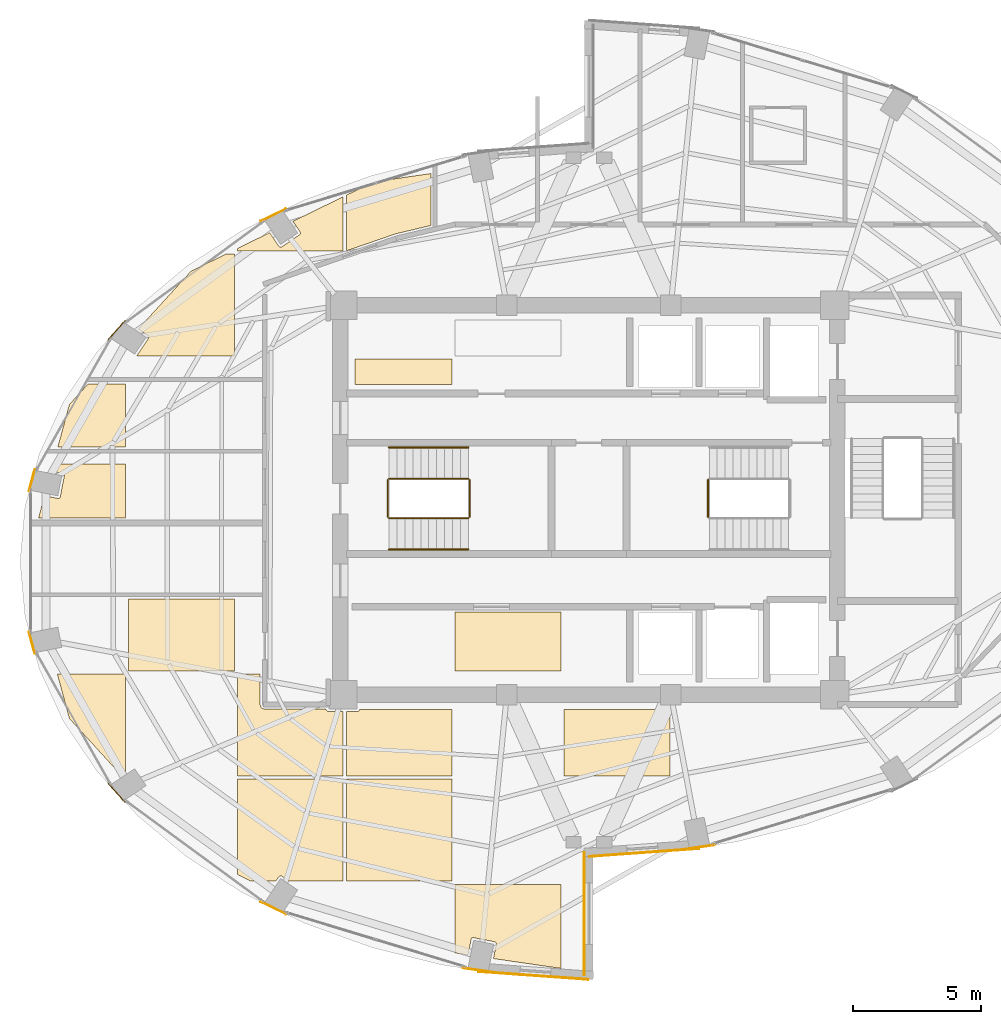
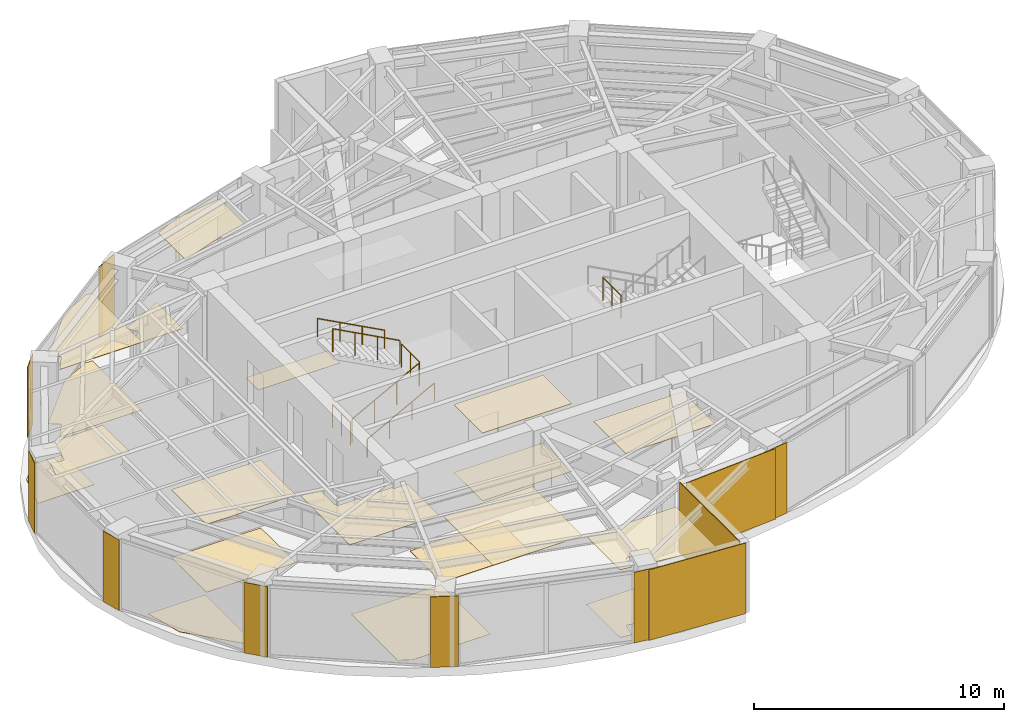
# One storey, part 22 of 23: 30 coverings, 7 railings.
"""IFC4 building model written with IfcOpenShell, lengths in metres."""

from ifc_helpers import new_model, si_unit, direction, frame, origin, origin_2d, place, context, subcontext, project, spatial, polyline, rectangle, circle, outline, extrude, material, layer, layer_set, type_object, element, save


model = new_model("IFC4")

# Units and contexts
model_context = context("Model", 3, precision=1e-05, world=origin(), true_north=direction((0.0, 1.0)))
body_context = subcontext(model_context, "Body", "Model", "MODEL_VIEW")
ifc_project = project(units=[si_unit("LENGTHUNIT", "METRE"), si_unit("AREAUNIT", "SQUARE_METRE"), si_unit("VOLUMEUNIT", "CUBIC_METRE"), si_unit("PLANEANGLEUNIT", "RADIAN"), si_unit("MASSUNIT", "GRAM", prefix="KILO")], contexts=[model_context])

# Site, building, storey
site_placement = place(None, origin())
site = spatial("IfcSite", under=ifc_project, at=site_placement, CompositionType="ELEMENT")
building_placement = place(site_placement, origin())
building = spatial("IfcBuilding", under=site, at=building_placement, Name="Lazwardi Medical Tower", CompositionType="ELEMENT")
storey_placement = place(building_placement, frame((0.0, 0.0, 194.83203125)))
storey = spatial("IfcBuildingStorey", under=building, at=storey_placement, Name="L50", CompositionType="ELEMENT", Elevation=194.83203125)

# Coverings
ifc_material_1 = material(Name="Anodised bronze aluminium cassette cladding", Category="aluminium")
ifc_layer_1 = layer(ifc_material_1, 0.030029296875)
ifc_layer_set_1 = layer_set([ifc_layer_1], Name="Anodised bronze aluminium cassette cladding")
covering_type_1 = type_object("IfcCoveringType", Name="COV-CLD-BRZ", PredefinedType="CLADDING", material=ifc_layer_set_1)
covering_1_placement = place(storey_placement, frame((40.3232421875, 14.450439453125, 0.0), z_axis=(0.0, 0.0, 1.0), x_axis=(0.989512431533, 0.144447733943, 0.0)))
element("IfcCovering", 1, at=covering_1_placement, inside=storey, type_object=covering_type_1, Name="L50 Mega-column bronze cassette cover M01", PredefinedType="CLADDING", context=body_context, shape_type="SweptSolid", body=[
    extrude(rectangle(XDim=1.188720703125, YDim=0.030029296875, at=origin_2d()), origin(), (0.0, 0.0, 1.0), 3.447998046875),
])
covering_2_placement = place(storey_placement, frame((23.688720703125, 39.121337890625, 0.0), z_axis=(0.0, 0.0, 1.0), x_axis=(-0.897840141691, -0.440321564278, 0.0)))
element("IfcCovering", 2, at=covering_2_placement, inside=storey, type_object=covering_type_1, Name="L50 Mega-column bronze cassette cover M10", PredefinedType="CLADDING", context=body_context, shape_type="SweptSolid", body=[
    extrude(rectangle(XDim=1.110595703125, YDim=0.030029296875, at=origin_2d()), origin(), (0.0, 0.0, 1.0), 3.447998046875),
])
covering_3_placement = place(storey_placement, frame((17.57470703125, 34.634765625, 0.0), z_axis=(0.0, 0.0, 1.0), x_axis=(-0.673240970654, -0.739423150458, 0.0)))
element("IfcCovering", 3, at=covering_3_placement, inside=storey, type_object=covering_type_1, Name="L50 Mega-column bronze cassette cover M11", PredefinedType="CLADDING", context=body_context, shape_type="SweptSolid", body=[
    extrude(rectangle(XDim=0.98974609375, YDim=0.030029296875, at=origin_2d()), origin(), (0.0, 0.0, 1.0), 3.447998046875),
])
for number, where, z_axis, x_axis, name in (
    (4, (14.265869140625, 28.772705078125, 0.0), (0.0, 0.0, 1.0), (-0.261641748247, -0.96516506131, 0.0), "L50 Mega-column bronze cassette cover M12"),
    (5, (14.265869140625, 22.427490234375, 0.0), (0.0, 0.0, 1.0), (0.261641748247, -0.96516506131, 0.0), "L50 Mega-column bronze cassette cover M13"),
):
    element("IfcCovering", number, at=place(storey_placement, frame(where, z_axis=z_axis, x_axis=x_axis)), inside=storey, type_object=covering_type_1, Name=name, PredefinedType="CLADDING", context=body_context, shape_type="SweptSolid", body=[
        extrude(rectangle(XDim=0.894287109375, YDim=0.030029296875, at=origin_2d()), origin(), (0.0, 0.0, 1.0), 3.447998046875),
    ])
covering_4_placement = place(storey_placement, frame((17.57470703125, 16.565185546875, 0.0), z_axis=(0.0, 0.0, 1.0), x_axis=(0.673240970654, -0.739423150458, 0.0)))
element("IfcCovering", 6, at=covering_4_placement, inside=storey, type_object=covering_type_1, Name="L50 Mega-column bronze cassette cover M14", PredefinedType="CLADDING", context=body_context, shape_type="SweptSolid", body=[
    extrude(rectangle(XDim=0.98974609375, YDim=0.030029296875, at=origin_2d()), origin(), (0.0, 0.0, 1.0), 3.447998046875),
])
covering_5_placement = place(storey_placement, frame((23.688720703125, 12.07861328125, 0.0), z_axis=(0.0, 0.0, 1.0), x_axis=(0.897840141691, -0.440321564278, 0.0)))
element("IfcCovering", 7, at=covering_5_placement, inside=storey, type_object=covering_type_1, Name="L50 Mega-column bronze cassette cover M15", PredefinedType="CLADDING", context=body_context, shape_type="SweptSolid", body=[
    extrude(rectangle(XDim=1.110595703125, YDim=0.030029296875, at=origin_2d()), origin(), (0.0, 0.0, 1.0), 3.447998046875),
])
covering_6_placement = place(storey_placement, frame((31.6767578125, 9.650390625, 0.0), z_axis=(0.0, 0.0, 1.0), x_axis=(0.989512431533, -0.144447733943, 0.0)))
element("IfcCovering", 8, at=covering_6_placement, inside=storey, type_object=covering_type_1, Name="L50 Mega-column bronze cassette cover M16", PredefinedType="CLADDING", context=body_context, shape_type="SweptSolid", body=[
    extrude(rectangle(XDim=1.188720703125, YDim=0.030029296875, at=origin_2d()), origin(), (0.0, 0.0, 1.0), 3.447998046875),
])
ifc_material_2 = material(Name="Turquoise glazed ceramic tilework cladding", Category="masonry")
ifc_layer_2 = layer(ifc_material_2, 0.034912109375)
ifc_layer_set_2 = layer_set([ifc_layer_2], Name="Turquoise glazed ceramic tilework cladding")
covering_type_2 = type_object("IfcCoveringType", Name="COV-CLD-TRQ", PredefinedType="CLADDING", material=ifc_layer_set_2)
covering_7_placement = place(storey_placement, frame((38.16259765625, 14.239990234375, 0.0), z_axis=(0.0, 0.0, 1.0), x_axis=(0.997409491337, 0.071932653157, 0.0)))
element("IfcCovering", 9, at=covering_7_placement, inside=storey, type_object=covering_type_2, Name="L50 Turquoise glazed ceramic tilework cladding", PredefinedType="CLADDING", context=body_context, shape_type="SweptSolid", body=[
    extrude(rectangle(XDim=4.31103515625, YDim=0.034912109375, at=origin_2d()), origin(), (0.0, 0.0, 1.0), 3.447998046875),
])
covering_8_placement = place(storey_placement, frame((33.83740234375, 9.43994140625, 0.0), z_axis=(0.0, 0.0, 1.0), x_axis=(0.997408989128, -0.071939616387, 0.0)))
element("IfcCovering", 10, at=covering_8_placement, inside=storey, type_object=covering_type_2, Name="L50 Turquoise glazed ceramic tilework cladding", PredefinedType="CLADDING", context=body_context, shape_type="SweptSolid", body=[
    extrude(rectangle(XDim=4.310546875, YDim=0.034912109375, at=origin_2d()), origin(), (0.0, 0.0, 1.0), 3.447998046875),
])
covering_9_placement = place(storey_placement, frame((35.824462890625, 11.860107421875, 0.0), z_axis=(0.0, 0.0, 1.0), x_axis=(0.0, 1.0, 0.0)))
element("IfcCovering", 11, at=covering_9_placement, inside=storey, type_object=covering_type_2, Name="L50 Turquoise glazed ceramic tilework iwan panel", PredefinedType="CLADDING", context=body_context, shape_type="SweptSolid", body=[
    extrude(rectangle(XDim=4.800048828125, YDim=0.034912109375, at=origin_2d()), origin(), (0.0, 0.0, 1.0), 3.447998046875),
])
ifc_material_3 = material(Name="Acoustic mineral fibre tile")
ifc_layer_3 = layer(ifc_material_3, 0.02490234375)
ifc_layer_set_3 = layer_set([ifc_layer_3], Name="Acoustic mineral fibre tile")
covering_type_3 = type_object("IfcCoveringType", Name="COV-CLG-01", PredefinedType="CEILING", material=ifc_layer_set_3)
covering_10_placement = place(storey_placement, frame((0.0, 0.0, 3.302978515625)))
element("IfcCovering", 12, at=covering_10_placement, inside=storey, type_object=covering_type_3, Name="L50 Clinical Acoustic Ceiling 1", PredefinedType="CEILING", context=body_context, shape_type="SweptSolid", body=[
    extrude(outline(polyline([(15.09619140625, 29.402587890625), (15.0224609375, 29.13134765625), (15.4716796875, 29.0419921875), (15.479248046875, 29.040283203125), (15.486572265625, 29.03759765625), (15.49365234375, 29.0341796875), (15.50048828125, 29.030029296875), (15.5068359375, 29.025390625), (15.5126953125, 29.020263671875), (15.517822265625, 29.014404296875), (15.5224609375, 29.008056640625), (15.526611328125, 29.001220703125), (15.52978515625, 28.994140625), (15.53271484375, 28.98681640625), (15.534423828125, 28.979248046875), (15.53564453125, 28.971435546875), (15.535888671875, 28.963623046875), (15.53564453125, 28.955810546875), (15.534423828125, 28.947998046875), (15.37060546875, 28.124267578125), (15.36865234375, 28.11669921875), (15.365966796875, 28.109130859375), (15.36279296875, 28.10205078125), (15.358642578125, 28.095458984375), (15.35400390625, 28.089111328125), (15.3486328125, 28.083251953125), (15.343017578125, 28.077880859375), (15.33642578125, 28.0732421875), (15.329833984375, 28.069091796875), (15.32275390625, 28.06591796875), (15.315185546875, 28.063232421875), (15.3076171875, 28.061279296875), (15.2998046875, 28.060302734375), (15.2919921875, 28.059814453125), (15.2841796875, 28.060302734375), (15.276611328125, 28.061279296875), (14.759521484375, 28.1640625), (14.52490234375, 27.300048828125), (17.912841796875, 27.300048828125), (17.912841796875, 29.402587890625), (15.09619140625, 29.402587890625)])), origin(), (0.0, 0.0, 1.0), 0.02490234375),
])
covering_11_placement = place(storey_placement, frame((0.0, 0.0, 3.302978515625)))
element("IfcCovering", 13, at=covering_11_placement, inside=storey, type_object=covering_type_3, Name="L50 Clinical Acoustic Ceiling 2", PredefinedType="CEILING", context=body_context, shape_type="SweptSolid", body=[
    extrude(outline(polyline([(22.162841796875, 24.135009765625), (18.032958984375, 24.135009765625), (18.032958984375, 21.322509765625), (22.162841796875, 21.322509765625), (22.162841796875, 24.135009765625)])), origin(), (0.0, 0.0, 1.0), 0.02490234375),
])
covering_12_placement = place(storey_placement, frame((0.0, 0.0, 3.302978515625)))
element("IfcCovering", 14, at=covering_12_placement, inside=storey, type_object=covering_type_3, Name="L50 Clinical Acoustic Ceiling 3", PredefinedType="CEILING", context=body_context, shape_type="SweptSolid", body=[
    extrude(outline(polyline([(21.84619140625, 37.6025390625), (20.478271484375, 36.933349609375), (18.415283203125, 34.673095703125), (18.7919921875, 34.42138671875), (18.79833984375, 34.416748046875), (18.80419921875, 34.41162109375), (18.809326171875, 34.40576171875), (18.814208984375, 34.3994140625), (18.818115234375, 34.392578125), (18.821533203125, 34.385498046875), (18.82421875, 34.378173828125), (18.826171875, 34.37060546875), (18.8271484375, 34.36279296875), (18.82763671875, 34.35498046875), (18.8271484375, 34.34716796875), (18.826171875, 34.33935546875), (18.82421875, 34.331787109375), (18.821533203125, 34.324462890625), (18.818115234375, 34.3173828125), (18.814208984375, 34.310546875), (18.354248046875, 33.62255859375), (22.162841796875, 33.62255859375), (22.162841796875, 37.6025390625), (21.84619140625, 37.6025390625)])), origin(), (0.0, 0.0, 1.0), 0.02490234375),
])
covering_13_placement = place(storey_placement, frame((0.0, 0.0, 3.302978515625)))
element("IfcCovering", 15, at=covering_13_placement, inside=storey, type_object=covering_type_3, Name="L50 Clinical Acoustic Ceiling 4", PredefinedType="CEILING", context=body_context, shape_type="SweptSolid", body=[
    extrude(outline(polyline([(26.412841796875, 19.75), (25.830078125, 19.75), (25.822265625, 19.75048828125), (25.814453125, 19.75146484375), (25.806884765625, 19.75341796875), (25.79931640625, 19.756103515625), (25.792236328125, 19.759521484375), (25.78564453125, 19.763427734375), (25.779296875, 19.768310546875), (25.7734375, 19.7734375), (25.768310546875, 19.779296875), (25.763427734375, 19.78564453125), (25.759521484375, 19.792236328125), (25.756103515625, 19.79931640625), (25.75341796875, 19.806884765625), (25.75146484375, 19.814453125), (25.75048828125, 19.822265625), (25.75, 19.830078125), (25.75, 19.844970703125), (23.35009765625, 19.844970703125), (23.345703125, 19.84521484375), (23.33642578125, 19.845703125), (23.32958984375, 19.84619140625), (23.3203125, 19.84765625), (23.31201171875, 19.84912109375), (23.302734375, 19.8515625), (23.2958984375, 19.853515625), (23.287109375, 19.856689453125), (23.279296875, 19.860107421875), (23.270751953125, 19.864013671875), (23.263916015625, 19.86767578125), (23.256103515625, 19.872314453125), (23.249267578125, 19.876953125), (23.24169921875, 19.882568359375), (23.236083984375, 19.88720703125), (23.229248046875, 19.893310546875), (23.223388671875, 19.8994140625), (23.217041015625, 19.90625), (23.21240234375, 19.911865234375), (23.206787109375, 19.919189453125), (23.202392578125, 19.926025390625), (23.197509765625, 19.93408203125), (23.194091796875, 19.94091796875), (23.18994140625, 19.94921875), (23.186767578125, 19.95703125), (23.18359375, 19.9658203125), (23.181396484375, 19.972900390625), (23.17919921875, 19.98193359375), (23.177490234375, 19.990234375), (23.17626953125, 19.99951171875), (23.175537109375, 20.00634765625), (23.175048828125, 20.015625), (23.175048828125, 20.02001953125), (23.175048828125, 21.202392578125), (22.282958984375, 21.202392578125), (22.282958984375, 17.222412109375), (26.412841796875, 17.222412109375), (26.412841796875, 19.75)])), origin(), (0.0, 0.0, 1.0), 0.02490234375),
])
covering_14_placement = place(storey_placement, frame((0.0, 0.0, 3.302978515625)))
element("IfcCovering", 16, at=covering_14_placement, inside=storey, type_object=covering_type_3, Name="L50 Clinical Acoustic Ceiling 5", PredefinedType="CEILING", context=body_context, shape_type="SweptSolid", body=[
    extrude(outline(polyline([(30.662841796875, 13.12255859375), (30.662841796875, 17.1025390625), (26.532958984375, 17.1025390625), (26.532958984375, 13.12255859375), (30.662841796875, 13.12255859375)])), origin(), (0.0, 0.0, 1.0), 0.02490234375),
])
covering_15_placement = place(storey_placement, frame((0.0, 0.0, 3.302978515625)))
element("IfcCovering", 17, at=covering_15_placement, inside=storey, type_object=covering_type_3, Name="L50 Clinical Acoustic Ceiling 6", PredefinedType="CEILING", context=body_context, shape_type="SweptSolid", body=[
    extrude(outline(polyline([(26.532958984375, 37.72265625), (28.457763671875, 38.385498046875), (28.461669921875, 38.386962890625), (28.470703125, 38.389404296875), (28.474365234375, 38.390380859375), (29.8349609375, 38.713134765625), (29.8349609375, 40.741455078125), (27.59716796875, 40.41552734375), (26.532958984375, 39.89501953125), (26.532958984375, 37.72265625)])), origin(), (0.0, 0.0, 1.0), 0.02490234375),
])
covering_16_placement = place(storey_placement, frame((0.0, 0.0, 3.302978515625)))
element("IfcCovering", 18, at=covering_16_placement, inside=storey, type_object=covering_type_3, Name="L50 Clinical Acoustic Ceiling 7", PredefinedType="CEILING", context=body_context, shape_type="SweptSolid", body=[
    extrude(outline(polyline([(30.782958984375, 10.320556640625), (31.285400390625, 10.247314453125), (31.40673828125, 10.8583984375), (31.40869140625, 10.865966796875), (31.411376953125, 10.873291015625), (31.414794921875, 10.88037109375), (31.418701171875, 10.88720703125), (31.423583984375, 10.8935546875), (31.4287109375, 10.8994140625), (31.4345703125, 10.904541015625), (31.44091796875, 10.9091796875), (31.447509765625, 10.913330078125), (31.45458984375, 10.91650390625), (31.462158203125, 10.919189453125), (31.4697265625, 10.921142578125), (31.4775390625, 10.92236328125), (31.4853515625, 10.922607421875), (31.4931640625, 10.92236328125), (31.5009765625, 10.921142578125), (32.32470703125, 10.75732421875), (32.332275390625, 10.75537109375), (32.339599609375, 10.752685546875), (32.3466796875, 10.74951171875), (32.353515625, 10.745361328125), (32.35986328125, 10.740478515625), (32.36572265625, 10.7353515625), (32.370849609375, 10.7294921875), (32.37548828125, 10.72314453125), (32.379638671875, 10.716552734375), (32.383056640625, 10.70947265625), (32.3857421875, 10.701904296875), (32.3876953125, 10.6943359375), (32.388671875, 10.6865234375), (32.38916015625, 10.6787109375), (32.388671875, 10.6708984375), (32.3876953125, 10.6630859375), (32.276123046875, 10.10302734375), (34.912841796875, 9.71923828125), (34.912841796875, 13.00244140625), (30.782958984375, 13.00244140625), (30.782958984375, 10.320556640625)])), origin(), (0.0, 0.0, 1.0), 0.02490234375),
])
covering_17_placement = place(storey_placement, frame((0.0, 0.0, 3.302978515625)))
element("IfcCovering", 19, at=covering_17_placement, inside=storey, type_object=covering_type_3, Name="L50 Clinical Acoustic Ceiling 8", PredefinedType="CEILING", context=body_context, shape_type="SweptSolid", body=[
    extrude(outline(polyline([(34.912841796875, 23.6201171875), (30.782958984375, 23.6201171875), (30.782958984375, 21.322509765625), (34.912841796875, 21.322509765625), (34.912841796875, 23.6201171875)])), origin(), (0.0, 0.0, 1.0), 0.02490234375),
])
covering_18_placement = place(storey_placement, frame((0.0, 0.0, 3.302978515625)))
element("IfcCovering", 20, at=covering_18_placement, inside=storey, type_object=covering_type_3, Name="L50 Clinical Acoustic Ceiling 10", PredefinedType="CEILING", context=body_context, shape_type="SweptSolid", body=[
    extrude(outline(polyline([(39.162841796875, 19.820068359375), (35.032958984375, 19.820068359375), (35.032958984375, 17.222412109375), (39.162841796875, 17.222412109375), (39.162841796875, 19.820068359375)])), origin(), (0.0, 0.0, 1.0), 0.02490234375),
])
ifc_material_4 = material(Name="Anti-static hospital vinyl sheet flooring")
ifc_layer_4 = layer(ifc_material_4, 0.014892578125)
ifc_layer_set_4 = layer_set([ifc_layer_4], Name="Anti-static hospital vinyl sheet flooring")
covering_type_4 = type_object("IfcCoveringType", Name="COV-FLR-01", PredefinedType="FLOORING", material=ifc_layer_set_4)
covering_19_placement = place(storey_placement, origin())
element("IfcCovering", 21, at=covering_19_placement, inside=storey, type_object=covering_type_4, Name="L50 Clinical Vinyl Flooring 1", PredefinedType="FLOORING", context=body_context, shape_type="SweptSolid", body=[
    extrude(outline(polyline([(15.2578125, 21.202392578125), (15.728271484375, 19.470703125), (17.7333984375, 17.273681640625), (17.912841796875, 17.393798828125), (17.912841796875, 21.202392578125), (15.2578125, 21.202392578125)])), origin(), (0.0, 0.0, 1.0), 0.014892578125),
])
covering_20_placement = place(storey_placement, origin())
element("IfcCovering", 22, at=covering_20_placement, inside=storey, type_object=covering_type_4, Name="L50 Clinical Vinyl Flooring 2", PredefinedType="FLOORING", context=body_context, shape_type="SweptSolid", body=[
    extrude(outline(polyline([(17.912841796875, 32.534912109375), (16.4638671875, 32.534912109375), (15.728271484375, 31.729248046875), (15.276123046875, 30.06494140625), (17.912841796875, 30.06494140625), (17.912841796875, 32.534912109375)])), origin(), (0.0, 0.0, 1.0), 0.014892578125),
])
covering_21_placement = place(storey_placement, origin())
element("IfcCovering", 23, at=covering_21_placement, inside=storey, type_object=covering_type_4, Name="L50 Clinical Vinyl Flooring 3", PredefinedType="FLOORING", context=body_context, shape_type="SweptSolid", body=[
    extrude(outline(polyline([(22.162841796875, 24.135009765625), (18.032958984375, 24.135009765625), (18.032958984375, 21.322509765625), (22.162841796875, 21.322509765625), (22.162841796875, 24.135009765625)])), origin(), (0.0, 0.0, 1.0), 0.014892578125),
])
covering_22_placement = place(storey_placement, origin())
element("IfcCovering", 24, at=covering_22_placement, inside=storey, type_object=covering_type_4, Name="L50 Clinical Vinyl Flooring 4", PredefinedType="FLOORING", context=body_context, shape_type="SweptSolid", body=[
    extrude(outline(polyline([(21.84619140625, 37.6025390625), (20.478271484375, 36.933349609375), (18.415283203125, 34.673095703125), (18.7919921875, 34.42138671875), (18.79833984375, 34.416748046875), (18.80419921875, 34.41162109375), (18.809326171875, 34.40576171875), (18.814208984375, 34.3994140625), (18.818115234375, 34.392578125), (18.821533203125, 34.385498046875), (18.82421875, 34.378173828125), (18.826171875, 34.37060546875), (18.8271484375, 34.36279296875), (18.82763671875, 34.35498046875), (18.8271484375, 34.34716796875), (18.826171875, 34.33935546875), (18.82421875, 34.331787109375), (18.821533203125, 34.324462890625), (18.818115234375, 34.3173828125), (18.814208984375, 34.310546875), (18.354248046875, 33.62255859375), (22.162841796875, 33.62255859375), (22.162841796875, 37.6025390625), (21.84619140625, 37.6025390625)])), origin(), (0.0, 0.0, 1.0), 0.014892578125),
])
covering_23_placement = place(storey_placement, origin())
element("IfcCovering", 25, at=covering_23_placement, inside=storey, type_object=covering_type_4, Name="L50 Clinical Vinyl Flooring 5", PredefinedType="FLOORING", context=body_context, shape_type="SweptSolid", body=[
    extrude(outline(polyline([(22.282958984375, 13.3837890625), (22.8173828125, 13.12255859375), (23.78369140625, 13.12255859375), (23.900634765625, 13.297607421875), (23.905517578125, 13.303955078125), (23.91064453125, 13.309814453125), (23.91650390625, 13.31494140625), (23.9228515625, 13.319580078125), (23.929443359375, 13.32373046875), (23.9365234375, 13.3271484375), (23.944091796875, 13.329833984375), (23.95166015625, 13.331787109375), (23.95947265625, 13.332763671875), (23.96728515625, 13.333251953125), (23.97509765625, 13.332763671875), (23.98291015625, 13.331787109375), (23.990478515625, 13.329833984375), (23.997802734375, 13.3271484375), (24.0048828125, 13.32373046875), (24.01171875, 13.319580078125), (24.306884765625, 13.12255859375), (26.412841796875, 13.12255859375), (26.412841796875, 17.1025390625), (22.282958984375, 17.1025390625), (22.282958984375, 13.3837890625)])), origin(), (0.0, 0.0, 1.0), 0.014892578125),
])
covering_24_placement = place(storey_placement, origin())
element("IfcCovering", 26, at=covering_24_placement, inside=storey, type_object=covering_type_4, Name="L50 Clinical Vinyl Flooring 6", PredefinedType="FLOORING", context=body_context, shape_type="SweptSolid", body=[
    extrude(outline(polyline([(26.412841796875, 39.836181640625), (24.4521484375, 38.877197265625), (24.732177734375, 38.4580078125), (24.736083984375, 38.451171875), (24.739501953125, 38.444091796875), (24.7421875, 38.436767578125), (24.744140625, 38.42919921875), (24.7451171875, 38.42138671875), (24.74560546875, 38.41357421875), (24.7451171875, 38.40576171875), (24.744140625, 38.39794921875), (24.7421875, 38.390380859375), (24.739501953125, 38.3828125), (24.736083984375, 38.375732421875), (24.732177734375, 38.369140625), (24.727294921875, 38.36279296875), (24.72216796875, 38.35693359375), (24.71630859375, 38.351806640625), (24.7099609375, 38.346923828125), (24.01171875, 37.88037109375), (24.0048828125, 37.876220703125), (23.997802734375, 37.872802734375), (23.990478515625, 37.8701171875), (23.98291015625, 37.868408203125), (23.97509765625, 37.8671875), (23.96728515625, 37.86669921875), (23.95947265625, 37.8671875), (23.95166015625, 37.868408203125), (23.944091796875, 37.8701171875), (23.9365234375, 37.872802734375), (23.929443359375, 37.876220703125), (23.9228515625, 37.88037109375), (23.91650390625, 37.885009765625), (23.91064453125, 37.89013671875), (23.905517578125, 37.89599609375), (23.900634765625, 37.90234375), (23.545654296875, 38.43359375), (22.282958984375, 37.816162109375), (22.282958984375, 37.722412109375), (26.412841796875, 37.722412109375), (26.412841796875, 39.836181640625)])), origin(), (0.0, 0.0, 1.0), 0.014892578125),
])
covering_25_placement = place(storey_placement, origin())
element("IfcCovering", 27, at=covering_25_placement, inside=storey, type_object=covering_type_4, Name="L50 Clinical Vinyl Flooring 7", PredefinedType="FLOORING", context=body_context, shape_type="SweptSolid", body=[
    extrude(outline(polyline([(30.662841796875, 19.820068359375), (27.04931640625, 19.820068359375), (27.048583984375, 19.814453125), (27.046630859375, 19.806884765625), (27.0439453125, 19.79931640625), (27.04052734375, 19.792236328125), (27.03662109375, 19.78564453125), (27.03173828125, 19.779296875), (27.026611328125, 19.7734375), (27.020751953125, 19.768310546875), (27.014404296875, 19.763427734375), (27.0078125, 19.759521484375), (27.00048828125, 19.756103515625), (26.9931640625, 19.75341796875), (26.985595703125, 19.75146484375), (26.977783203125, 19.75048828125), (26.969970703125, 19.75), (26.532958984375, 19.75), (26.532958984375, 17.222412109375), (30.662841796875, 17.222412109375), (30.662841796875, 19.820068359375)])), origin(), (0.0, 0.0, 1.0), 0.014892578125),
])
covering_26_placement = place(storey_placement, origin())
element("IfcCovering", 28, at=covering_26_placement, inside=storey, type_object=covering_type_4, Name="L50 Clinical Vinyl Flooring 8", PredefinedType="FLOORING", context=body_context, shape_type="SweptSolid", body=[
    extrude(outline(polyline([(26.8798828125, 33.50244140625), (26.8798828125, 32.5), (30.662841796875, 32.5), (30.662841796875, 33.50244140625), (26.8798828125, 33.50244140625)])), origin(), (0.0, 0.0, 1.0), 0.014892578125),
])
covering_27_placement = place(storey_placement, origin())
element("IfcCovering", 29, at=covering_27_placement, inside=storey, type_object=covering_type_4, Name="L50 Clinical Vinyl Flooring 9", PredefinedType="FLOORING", context=body_context, shape_type="SweptSolid", body=[
    extrude(outline(polyline([(30.782958984375, 10.320556640625), (31.285400390625, 10.247314453125), (31.40673828125, 10.8583984375), (31.40869140625, 10.865966796875), (31.411376953125, 10.873291015625), (31.414794921875, 10.88037109375), (31.418701171875, 10.88720703125), (31.423583984375, 10.8935546875), (31.4287109375, 10.8994140625), (31.4345703125, 10.904541015625), (31.44091796875, 10.9091796875), (31.447509765625, 10.913330078125), (31.45458984375, 10.91650390625), (31.462158203125, 10.919189453125), (31.4697265625, 10.921142578125), (31.4775390625, 10.92236328125), (31.4853515625, 10.922607421875), (31.4931640625, 10.92236328125), (31.5009765625, 10.921142578125), (32.32470703125, 10.75732421875), (32.332275390625, 10.75537109375), (32.339599609375, 10.752685546875), (32.3466796875, 10.74951171875), (32.353515625, 10.745361328125), (32.35986328125, 10.740478515625), (32.36572265625, 10.7353515625), (32.370849609375, 10.7294921875), (32.37548828125, 10.72314453125), (32.379638671875, 10.716552734375), (32.383056640625, 10.70947265625), (32.3857421875, 10.701904296875), (32.3876953125, 10.6943359375), (32.388671875, 10.6865234375), (32.38916015625, 10.6787109375), (32.388671875, 10.6708984375), (32.3876953125, 10.6630859375), (32.276123046875, 10.10302734375), (34.912841796875, 9.71923828125), (34.912841796875, 13.00244140625), (30.782958984375, 13.00244140625), (30.782958984375, 10.320556640625)])), origin(), (0.0, 0.0, 1.0), 0.014892578125),
])
covering_28_placement = place(storey_placement, origin())
element("IfcCovering", 30, at=covering_28_placement, inside=storey, type_object=covering_type_4, Name="L50 Clinical Vinyl Flooring 10", PredefinedType="FLOORING", context=body_context, shape_type="SweptSolid", body=[
    extrude(outline(polyline([(34.912841796875, 23.6201171875), (30.782958984375, 23.6201171875), (30.782958984375, 21.322509765625), (34.912841796875, 21.322509765625), (34.912841796875, 23.6201171875)])), origin(), (0.0, 0.0, 1.0), 0.014892578125),
])

# Railings
ifc_material_5 = material(Name="Stainless steel Grade 316", Category="steel")
railing_type_1 = type_object("IfcRailingType", Name="RLG-GRD-1150", PredefinedType="GUARDRAIL", material=ifc_material_5)
railing_1_placement = place(storey_placement, frame((28.199951171875, 27.2900390625, 0.165771484375)))
element("IfcRailing", 31, at=railing_1_placement, inside=storey, type_object=railing_type_1, Name="L50 ST1 stair guard 1", PredefinedType="GUARDRAIL", context=body_context, shape_type="SweptSolid", body=[
    extrude(circle(Radius=0.02392578125, at=origin_2d()), frame((0.0, 0.0, 1.1259765625), z_axis=(0.881783298633, 0.0, 0.471654761719), x_axis=(0.0, 1.0, 0.0)), (0.0, 0.0, 1.0), 3.515625),
    extrude(circle(Radius=0.02099609375, at=origin_2d()), origin(), (0.0, 0.0, 1.0), 1.099853515625),
    extrude(circle(Radius=0.02099609375, at=origin_2d()), frame((1.033447265625, 0.0, 0.552734375)), (0.0, 0.0, 1.0), 1.099853515625),
    extrude(circle(Radius=0.02099609375, at=origin_2d()), frame((2.066650390625, 0.0, 1.10546875)), (0.0, 0.0, 1.0), 1.099853515625),
    extrude(circle(Radius=0.02099609375, at=origin_2d()), frame((3.10009765625, 0.0, 1.658203125)), (0.0, 0.0, 1.0), 1.099853515625),
])
railing_2_placement = place(storey_placement, frame((31.35009765625, 27.340087890625, 1.823974609375)))
element("IfcRailing", 32, at=railing_2_placement, inside=storey, type_object=railing_type_1, Name="L50 ST1 stair guard 2", PredefinedType="GUARDRAIL", context=body_context, shape_type="SweptSolid", body=[
    extrude(circle(Radius=0.02392578125, at=origin_2d()), frame((0.0, 0.0, 1.1259765625), z_axis=(0.0, 1.0, 0.0), x_axis=(-1.0, 0.0, 0.0)), (0.0, 0.0, 1.0), 1.43994140625),
    extrude(circle(Radius=0.02099609375, at=origin_2d()), origin(), (0.0, 0.0, 1.0), 1.099853515625),
    extrude(circle(Radius=0.02099609375, at=origin_2d()), frame((0.0, 0.719970703125, 0.0)), (0.0, 0.0, 1.0), 1.099853515625),
    extrude(circle(Radius=0.02099609375, at=origin_2d()), frame((0.0, 1.43994140625, 0.0)), (0.0, 0.0, 1.0), 1.099853515625),
])
railing_3_placement = place(storey_placement, frame((31.300048828125, 28.830078125, 1.98974609375)))
element("IfcRailing", 33, at=railing_3_placement, inside=storey, type_object=railing_type_1, Name="L50 ST1 stair guard 3", PredefinedType="GUARDRAIL", context=body_context, shape_type="SweptSolid", body=[
    extrude(circle(Radius=0.02392578125, at=origin_2d()), frame((0.0, 0.0, 1.1259765625), z_axis=(-0.881783298633, 0.0, 0.471654761719), x_axis=(0.0, -1.0, 0.0)), (0.0, 0.0, 1.0), 3.515625),
    extrude(circle(Radius=0.02099609375, at=origin_2d()), origin(), (0.0, 0.0, 1.0), 1.099853515625),
    extrude(circle(Radius=0.02099609375, at=origin_2d()), frame((-1.033447265625, 0.0, 0.552734375)), (0.0, 0.0, 1.0), 1.099853515625),
    extrude(circle(Radius=0.02099609375, at=origin_2d()), frame((-2.066650390625, 0.0, 1.10546875)), (0.0, 0.0, 1.0), 1.099853515625),
    extrude(circle(Radius=0.02099609375, at=origin_2d()), frame((-3.10009765625, 0.0, 1.658203125)), (0.0, 0.0, 1.0), 1.099853515625),
])
railing_4_placement = place(storey_placement, frame((28.14990234375, 27.340087890625, 0.0)))
element("IfcRailing", 34, at=railing_4_placement, inside=storey, type_object=railing_type_1, Name="L50 ST1 stair guard 4", PredefinedType="GUARDRAIL", context=body_context, shape_type="SweptSolid", body=[
    extrude(circle(Radius=0.02392578125, at=origin_2d()), frame((0.0, 0.0, 1.1259765625), z_axis=(0.0, 1.0, 0.0), x_axis=(-1.0, 0.0, 0.0)), (0.0, 0.0, 1.0), 1.43994140625),
    extrude(circle(Radius=0.02099609375, at=origin_2d()), origin(), (0.0, 0.0, 1.0), 1.099853515625),
    extrude(circle(Radius=0.02099609375, at=origin_2d()), frame((0.0, 0.719970703125, 0.0)), (0.0, 0.0, 1.0), 1.099853515625),
    extrude(circle(Radius=0.02099609375, at=origin_2d()), frame((0.0, 1.43994140625, 0.0)), (0.0, 0.0, 1.0), 1.099853515625),
])
railing_5_placement = place(storey_placement, frame((40.64990234375, 28.780029296875, 1.823974609375)))
element("IfcRailing", 35, at=railing_5_placement, inside=storey, type_object=railing_type_1, Name="L50 ST2 stair guard 2", PredefinedType="GUARDRAIL", context=body_context, shape_type="SweptSolid", body=[
    extrude(circle(Radius=0.02392578125, at=origin_2d()), frame((0.0, 0.0, 1.1259765625), z_axis=(0.0, -1.0, 0.0), x_axis=(1.0, 0.0, 0.0)), (0.0, 0.0, 1.0), 1.43994140625),
    extrude(circle(Radius=0.02099609375, at=origin_2d()), origin(), (0.0, 0.0, 1.0), 1.099853515625),
    extrude(circle(Radius=0.02099609375, at=origin_2d()), frame((0.0, -0.719970703125, 0.0)), (0.0, 0.0, 1.0), 1.099853515625),
    extrude(circle(Radius=0.02099609375, at=origin_2d()), frame((0.0, -1.43994140625, 0.0)), (0.0, 0.0, 1.0), 1.099853515625),
])
railing_type_2 = type_object("IfcRailingType", Name="RLG-HND-920", PredefinedType="HANDRAIL", material=ifc_material_5)
railing_6_placement = place(storey_placement, frame((28.199951171875, 26.070068359375, 0.165771484375)))
element("IfcRailing", 36, at=railing_6_placement, inside=storey, type_object=railing_type_2, Name="L50 ST1 stair handrail 1", PredefinedType="HANDRAIL", context=body_context, shape_type="SweptSolid", body=[
    extrude(circle(Radius=0.02392578125, at=origin_2d()), frame((0.0, 0.0, 0.8857421875), z_axis=(0.881783298633, 0.0, 0.471654761719), x_axis=(0.0, 1.0, 0.0)), (0.0, 0.0, 1.0), 3.515625),
    extrude(circle(Radius=0.02099609375, at=origin_2d()), origin(), (0.0, 0.0, 1.0), 0.85986328125),
    extrude(circle(Radius=0.02099609375, at=origin_2d()), frame((1.033447265625, 0.0, 0.552734375)), (0.0, 0.0, 1.0), 0.85986328125),
    extrude(circle(Radius=0.02099609375, at=origin_2d()), frame((2.066650390625, 0.0, 1.10546875)), (0.0, 0.0, 1.0), 0.85986328125),
    extrude(circle(Radius=0.02099609375, at=origin_2d()), frame((3.10009765625, 0.0, 1.658203125)), (0.0, 0.0, 1.0), 0.85986328125),
])
railing_7_placement = place(storey_placement, frame((31.300048828125, 30.050048828125, 1.98974609375)))
element("IfcRailing", 37, at=railing_7_placement, inside=storey, type_object=railing_type_2, Name="L50 ST1 stair handrail 2", PredefinedType="HANDRAIL", context=body_context, shape_type="SweptSolid", body=[
    extrude(circle(Radius=0.02392578125, at=origin_2d()), frame((0.0, 0.0, 0.8857421875), z_axis=(-0.881783298633, 0.0, 0.471654761719), x_axis=(0.0, -1.0, 0.0)), (0.0, 0.0, 1.0), 3.515625),
    extrude(circle(Radius=0.02099609375, at=origin_2d()), origin(), (0.0, 0.0, 1.0), 0.85986328125),
    extrude(circle(Radius=0.02099609375, at=origin_2d()), frame((-1.033447265625, 0.0, 0.552734375)), (0.0, 0.0, 1.0), 0.85986328125),
    extrude(circle(Radius=0.02099609375, at=origin_2d()), frame((-2.066650390625, 0.0, 1.10546875)), (0.0, 0.0, 1.0), 0.85986328125),
    extrude(circle(Radius=0.02099609375, at=origin_2d()), frame((-3.10009765625, 0.0, 1.658203125)), (0.0, 0.0, 1.0), 0.85986328125),
])

save(model, "model.ifc")
